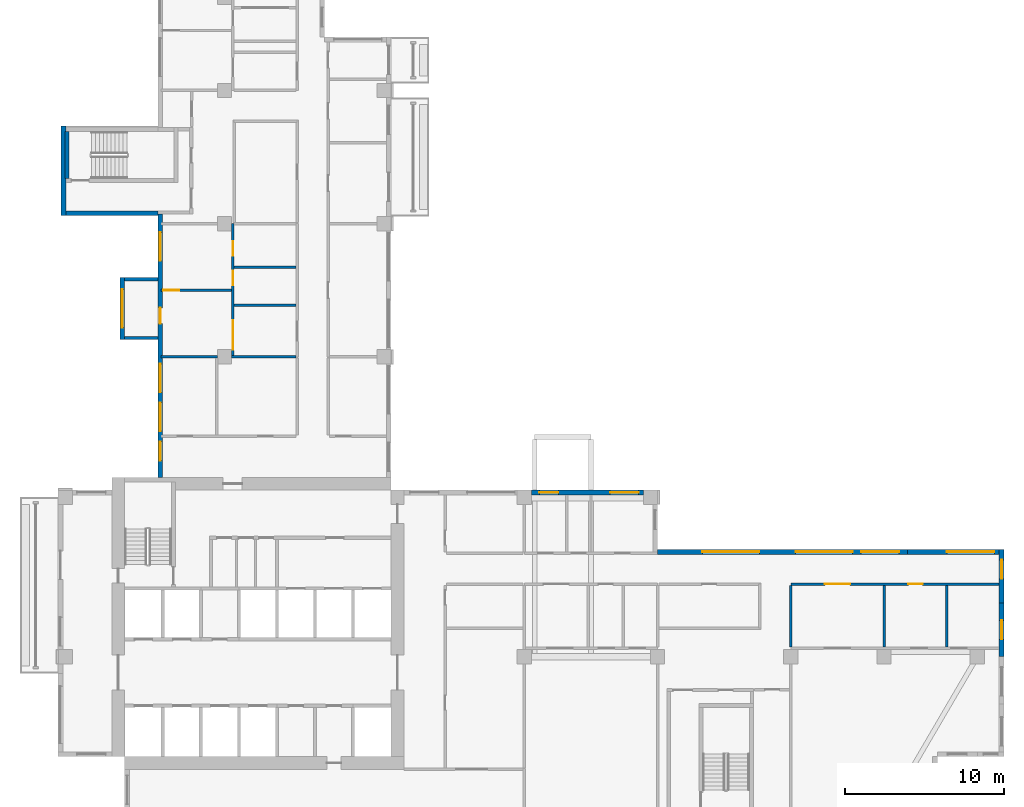
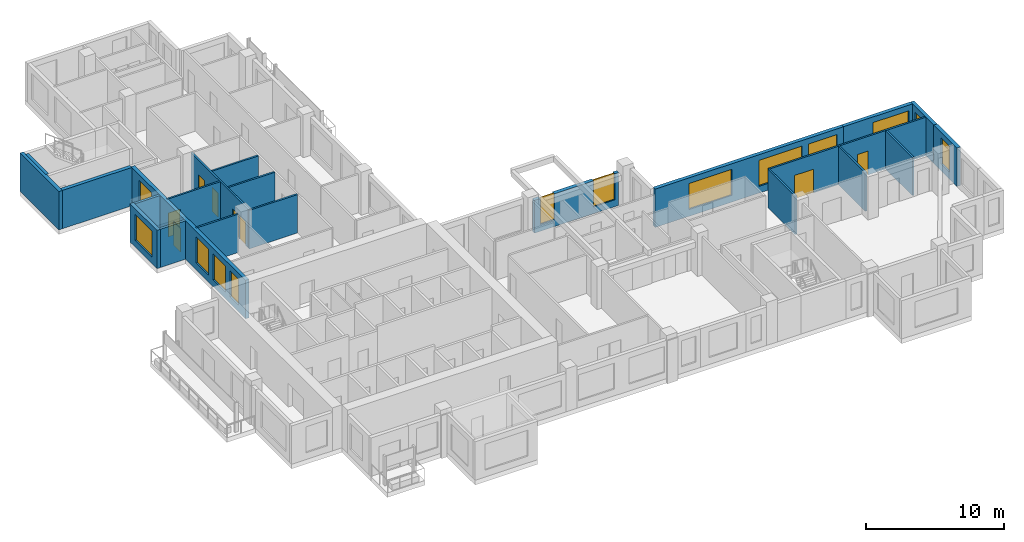
# One storey, part 6 of 12: 22 walls, 13 windows, 8 doors, 21 openings.
"""IFC4 building model written with IfcOpenShell, lengths in metres."""

import ifcopenshell
import ifcopenshell.guid

model = None  # the IFC model being written
_history = None  # IfcOwnerHistory: only IFC2X3 demands one
_inside = {}  # id of a spatial element -> (the spatial element, [elements in it])
_under = {}  # id of a project, library or spatial element -> (it, [spatial elements below it])
_declared = {}  # id of a project -> (the project, [libraries it declares])
_typed = {}  # id of a type object -> (the type object, [elements of that type])
_made_of = {}  # id of a material, layer set ... -> (it, [elements and type objects made of it])


def new_model(schema):
    """Start an empty IFC model of exactly this schema.

    Asked for "IFC4X3", IfcOpenShell would pick the latest addendum, in which some entities
    have other attributes; the version numbers below select the first issue.
    IFC2X3 requires an IfcOwnerHistory on every rooted entity: one is made here for all.
    """
    global model, _history
    if schema == "IFC4X3":
        model = ifcopenshell.file(schema_version=(4, 3, 0, 0))
    else:
        model = ifcopenshell.file(schema=schema)
    _inside.clear()
    _under.clear()
    _declared.clear()
    _typed.clear()
    _made_of.clear()
    _history = None
    if model.schema == "IFC2X3":
        org = make("IfcOrganization", Name="unknown")
        user = make(
            "IfcPersonAndOrganization",
            ThePerson=make("IfcPerson", FamilyName="unknown"),
            TheOrganization=org,
        )
        app = make(
            "IfcApplication",
            ApplicationDeveloper=org,
            Version="unknown",
            ApplicationFullName="unknown",
            ApplicationIdentifier="unknown",
        )
        _history = make(
            "IfcOwnerHistory",
            OwningUser=user,
            OwningApplication=app,
            ChangeAction="ADDED",
            CreationDate=0,
        )
    return model


def make(cls, **values):
    """One entity of the class cls with the attributes given. An attribute that is None is left unset."""
    return model.create_entity(
        cls, **{name: value for name, value in values.items() if value is not None}
    )


def rooted(cls, **values):
    """An entity with a GlobalId (a new one), such as an element, a storey or a relation."""
    return make(cls, GlobalId=ifcopenshell.guid.new(), OwnerHistory=_history, **values)


def si_unit(unit_type, name, prefix=None):
    """IfcSIUnit, for example si_unit("LENGTHUNIT", "METRE", prefix="MILLI")."""
    return make("IfcSIUnit", UnitType=unit_type, Prefix=prefix, Name=name)


def assignment(units):
    """IfcUnitAssignment: the units of a project."""
    return None if units is None else make("IfcUnitAssignment", Units=units)


def point(xyz):
    """IfcCartesianPoint."""
    return None if xyz is None else make("IfcCartesianPoint", Coordinates=xyz)


def direction(xyz):
    """IfcDirection."""
    return None if xyz is None else make("IfcDirection", DirectionRatios=xyz)


def frame(location, z_axis=None, x_axis=None):
    """IfcAxis2Placement3D, a coordinate frame: its origin and axes. An axis left out is left unset."""
    return make(
        "IfcAxis2Placement3D",
        Location=point(location),
        Axis=direction(z_axis),
        RefDirection=direction(x_axis),
    )


def frame_2d(location, x_axis=None):
    """IfcAxis2Placement2D, a coordinate frame in the plane: its origin and x axis."""
    return make(
        "IfcAxis2Placement2D", Location=point(location), RefDirection=direction(x_axis)
    )


def origin():
    """The frame at (0, 0, 0) with its axes left unset."""
    return frame((0.0, 0.0, 0.0))


def place(relative_to, where):
    """IfcLocalPlacement: puts the frame where relative to a parent placement (None: the world)."""
    return make(
        "IfcLocalPlacement", PlacementRelTo=relative_to, RelativePlacement=where
    )


def context(
    kind, dimensions, precision=None, world=None, true_north=None, identifier=None
):
    """IfcGeometricRepresentationContext, for example the 3D "Model" context."""
    return make(
        "IfcGeometricRepresentationContext",
        ContextIdentifier=identifier,
        ContextType=kind,
        CoordinateSpaceDimension=dimensions,
        Precision=precision,
        WorldCoordinateSystem=world,
        TrueNorth=true_north,
    )


def subcontext(parent, identifier, kind, view, scale=None):
    """IfcGeometricRepresentationSubContext, for example "Body" below "Model"."""
    return make(
        "IfcGeometricRepresentationSubContext",
        ContextIdentifier=identifier,
        ContextType=kind,
        ParentContext=parent,
        TargetScale=scale,
        TargetView=view,
    )


def project(units=None, contexts=None):
    """IfcProject with its units and contexts."""
    return rooted(
        "IfcProject",
        Name="project",
        RepresentationContexts=contexts,
        UnitsInContext=assignment(units),
    )


def spatial(cls, under=None, at=None, **own):
    """A site, building, storey or space (cls), placed at a placement, below another one or the project."""
    s = rooted(cls, ObjectPlacement=at, **own)
    if under is not None:
        _under.setdefault(under.id(), (under, []))[1].append(s)
    return s


def profile(cls, at=None, kind="AREA", **sizes):
    """A parametric profile (cls). Its sizes go by their IFC names, for example OverallWidth=200.0."""
    return make(cls, ProfileType=kind, Position=at, **sizes)


def rectangle(**sizes):
    """IfcRectangleProfileDef."""
    return profile("IfcRectangleProfileDef", **sizes)


def extrude(swept, where, along, depth):
    """IfcExtrudedAreaSolid: the profile swept, set in the frame where, extruded along a direction by depth."""
    return make(
        "IfcExtrudedAreaSolid",
        SweptArea=swept,
        Position=where,
        ExtrudedDirection=direction(along),
        Depth=depth,
    )


def shape(context_of_items, identifier, shape_type, items):
    """IfcShapeRepresentation: the items that make up one representation, for example the "Body"."""
    return make(
        "IfcShapeRepresentation",
        ContextOfItems=context_of_items,
        RepresentationIdentifier=identifier,
        RepresentationType=shape_type,
        Items=items,
    )


def source(mapping_origin, context_of_items, identifier, shape_type, items):
    """IfcRepresentationMap: a shape defined once, which mapped items show again and again."""
    return make(
        "IfcRepresentationMap",
        MappingOrigin=mapping_origin,
        MappedRepresentation=shape(context_of_items, identifier, shape_type, items),
    )


def transform(
    local_origin,
    x_axis=None,
    y_axis=None,
    z_axis=None,
    scale=None,
    scale2=None,
    scale3=None,
    uniform=True,
):
    """IfcCartesianTransformationOperator3D, or its non-uniform kind. x_axis, y_axis, z_axis: its Axis1, 2, 3."""
    if uniform:
        return make(
            "IfcCartesianTransformationOperator3D",
            Axis1=direction(x_axis),
            Axis2=direction(y_axis),
            LocalOrigin=point(local_origin),
            Scale=scale,
            Axis3=direction(z_axis),
        )
    return make(
        "IfcCartesianTransformationOperator3DnonUniform",
        Axis1=direction(x_axis),
        Axis2=direction(y_axis),
        LocalOrigin=point(local_origin),
        Scale=scale,
        Axis3=direction(z_axis),
        Scale2=scale2,
        Scale3=scale3,
    )


def mapped(mapping_source, mapping_target):
    """IfcMappedItem: shows the shape of a source again, moved by a transform."""
    return make(
        "IfcMappedItem", MappingSource=mapping_source, MappingTarget=mapping_target
    )


def material(Name=None, Category=None):
    """IfcMaterial."""
    return make("IfcMaterial", Name=Name, Category=Category)


def layer(
    of_material, thickness, ventilated=None, Name=None, Category=None, Priority=None
):
    """IfcMaterialLayer: one layer of a wall or slab, of a material (None: an air gap)."""
    return make(
        "IfcMaterialLayer",
        Material=of_material,
        LayerThickness=thickness,
        IsVentilated=ventilated,
        Name=Name,
        Category=Category,
        Priority=Priority,
    )


def layer_set(layers, Name=None):
    """IfcMaterialLayerSet."""
    return make("IfcMaterialLayerSet", MaterialLayers=layers, LayerSetName=Name)


def made_of(thing, what):
    """Note that an element or type object is made of a material, layer set ...; save() writes the relation."""
    if what is not None:
        _made_of.setdefault(what.id(), (what, []))[1].append(thing)
    return thing


def type_object(cls, material=None, **own):
    """A type object (cls), such as IfcWallType, which elements share."""
    return made_of(rooted(cls, **own), material)


def element(
    cls,
    number,
    at=None,
    inside=None,
    cuts=None,
    type_object=None,
    material=None,
    context=None,
    identifier="Body",
    shape_type=None,
    held_by="IfcProductDefinitionShape",
    body=None,
    shapes=None,
    **own,
):
    """One element of the class cls, such as IfcWall. Its Tag is "e" and its number.

    at: its placement. inside: the storey or other place that contains it. cuts: it is an
    opening in that element (IfcRelVoidsElement). A single representation is given by context,
    identifier, shape_type and body (its items); several are given by shapes. held_by: the class
    of the entity that holds the representations. save() writes the other relations.
    """
    e = rooted(cls, Tag="e%d" % number, ObjectPlacement=at, **own)
    if body is not None:
        shapes = [shape(context, identifier, shape_type, body)]
    if shapes is not None:
        e.Representation = make(held_by, Representations=shapes)
    if inside is not None:
        _inside.setdefault(inside.id(), (inside, []))[1].append(e)
    if cuts is not None:
        rooted(
            "IfcRelVoidsElement", RelatingBuildingElement=cuts, RelatedOpeningElement=e
        )
    if type_object is not None:
        _typed.setdefault(type_object.id(), (type_object, []))[1].append(e)
    return made_of(e, material)


def fill(opening, filler):
    """IfcRelFillsElement: the door or window that sits in an opening."""
    return rooted(
        "IfcRelFillsElement",
        RelatingOpeningElement=opening,
        RelatedBuildingElement=filler,
    )


def aggregate(whole, parts):
    """IfcRelAggregates: a whole, such as a stair, and the parts it consists of."""
    return rooted("IfcRelAggregates", RelatingObject=whole, RelatedObjects=parts)


def save(model, path):
    """Write the relations noted so far, then the file.

    IfcRelAggregates (storeys below a building ...), IfcRelContainedInSpatialStructure (elements
    in a storey), IfcRelDefinesByType, IfcRelAssociatesMaterial and IfcRelDeclares: one each for
    every whole, place, type object, material and project.
    """
    for whole, parts in _under.values():
        aggregate(whole, parts)
    for where, things in _inside.values():
        rooted(
            "IfcRelContainedInSpatialStructure",
            RelatedElements=things,
            RelatingStructure=where,
        )
    for kind, things in _typed.values():
        rooted("IfcRelDefinesByType", RelatedObjects=things, RelatingType=kind)
    for what, things in _made_of.values():
        rooted("IfcRelAssociatesMaterial", RelatedObjects=things, RelatingMaterial=what)
    for by, libraries in _declared.values():
        rooted("IfcRelDeclares", RelatingContext=by, RelatedDefinitions=libraries)
    model.write(path)


model = new_model("IFC4")

# Units and contexts
model_context = context("Model", 3, precision=1e-05, world=origin(), true_north=direction((0.0, 1.0)))
body_context = subcontext(model_context, "Body", "Model", "MODEL_VIEW")
ifc_project = project(units=[si_unit("LENGTHUNIT", "METRE"), si_unit("AREAUNIT", "SQUARE_METRE"), si_unit("VOLUMEUNIT", "CUBIC_METRE"), si_unit("PLANEANGLEUNIT", "RADIAN"), si_unit("MASSUNIT", "GRAM", prefix="KILO")], contexts=[model_context])

# Site, building, storey
site_placement = place(None, origin())
site = spatial("IfcSite", under=ifc_project, at=site_placement, CompositionType="ELEMENT")
building_placement = place(site_placement, origin())
building = spatial("IfcBuilding", under=site, at=building_placement, Name="Aurelian Terraces", CompositionType="ELEMENT")
storey_placement = place(building_placement, frame((0.0, 0.0, 200.6)))
storey = spatial("IfcBuildingStorey", under=building, at=storey_placement, Name="L44", CompositionType="ELEMENT", Elevation=200.6)

# Wall
ifc_material_1 = material(Name="Concrete fc' 40 MPa", Category="concrete")
ifc_layer_1 = layer(ifc_material_1, 0.2)
ifc_layer_set_1 = layer_set([ifc_layer_1], Name="BOX BEARING WALL 200")
wall_type_1 = type_object("IfcWallType", Name="BOX BEARING WALL 200", PredefinedType="SOLIDWALL", material=ifc_layer_set_1)
wall_1_placement = place(storey_placement, frame((6.3, 34.3, 0.0), z_axis=(0.0, 0.0, 1.0), x_axis=(-1.0, 0.0, 0.0)))
element("IfcWall", 1, at=wall_1_placement, inside=storey, type_object=wall_type_1, Name="Box return L44 J61.1", PredefinedType="SOLIDWALL", context=body_context, shape_type="SweptSolid", body=[
    extrude(rectangle(XDim=2.1, YDim=0.2, at=frame_2d((1.05, 0.0))), origin(), (0.0, 0.0, 1.0), 3.4),
])

# Wall, opening, window
ifc_layer_2 = layer(ifc_material_1, 0.3)
ifc_layer_set_2 = layer_set([ifc_layer_2], Name="BOX BEARING WALL 300")
wall_type_2 = type_object("IfcWallType", Name="BOX BEARING WALL 300", PredefinedType="SOLIDWALL", material=ifc_layer_set_2)
wall_2_placement = place(storey_placement, frame((4.05, 34.4, 0.0), z_axis=(0.0, 0.0, 1.0), x_axis=(0.0, -1.0, 0.0)))
wall_2 = element("IfcWall", 2, at=wall_2_placement, inside=storey, type_object=wall_type_2, Name="Box wall L44 J61", PredefinedType="SOLIDWALL", context=body_context, shape_type="SweptSolid", body=[
    extrude(rectangle(XDim=3.9, YDim=0.3, at=frame_2d((1.95, 0.0))), origin(), (0.0, 0.0, 1.0), 3.4),
])
shared_shape_1 = source(origin(), body_context, "Body", "SweptSolid", [
    extrude(rectangle(XDim=2.4, YDim=2.3, at=frame_2d((1.2, 1.15))), frame((0.0, 0.16, 0.0), z_axis=(0.0, -1.0, 0.0), x_axis=(1.0, 0.0, 0.0)), (0.0, 0.0, 1.0), 0.32),
])
opening_1_placement = place(wall_2_placement, frame((0.75, 0.0, 0.6)))
opening_1 = element("IfcOpeningElement", 3, at=opening_1_placement, cuts=wall_2, Name="Opening W2423", PredefinedType="OPENING", context=body_context, shape_type="MappedRepresentation", body=[
    mapped(shared_shape_1, transform((0.0, 0.0, 0.0), scale=1.0)),
])
ifc_material_2 = material(Name="Clear glazing", Category="glass")
window_type_1 = type_object("IfcWindowType", Name="W-2400x2300", PartitioningType="SINGLE_PANEL", PredefinedType="WINDOW", material=ifc_material_2)
shared_shape_2 = source(origin(), body_context, "Body", "SweptSolid", [
    extrude(rectangle(XDim=2.4, YDim=2.3, at=frame_2d((1.2, 1.15))), frame((0.0, 0.03, 0.0), z_axis=(0.0, -1.0, 0.0), x_axis=(1.0, 0.0, 0.0)), (0.0, 0.0, 1.0), 0.06),
])
window_1_placement = place(opening_1_placement, origin())
window_1 = element("IfcWindow", 4, at=window_1_placement, inside=storey, type_object=window_type_1, Name="Window L44 J61-F1", OverallHeight=2.3, OverallWidth=2.4, PartitioningType="SINGLE_PANEL", PredefinedType="WINDOW", context=body_context, shape_type="MappedRepresentation", body=[
    mapped(shared_shape_2, transform((0.0, 0.0, 0.0), scale=1.0)),
])
fill(opening_1, window_1)

# Wall, openings, windows
ifc_material_3 = material(Name="Terracotta rainscreen cladding", Category="masonry")
ifc_layer_3 = layer(ifc_material_3, 0.3)
ifc_layer_set_3 = layer_set([ifc_layer_3], Name="EW-300")
wall_type_3 = type_object("IfcWallType", Name="EW-300", PredefinedType="STANDARD", material=ifc_layer_set_3)
wall_3_placement = place(storey_placement, frame((53.56, 17.1, 0.0), z_axis=(0.0, 0.0, 1.0), x_axis=(-1.0, 0.0, 0.0)))
wall_3 = element("IfcWall", 5, at=wall_3_placement, inside=storey, type_object=wall_type_3, Name="External wall L44 F05.15", PredefinedType="STANDARD", context=body_context, shape_type="SweptSolid", body=[
    extrude(rectangle(XDim=15.76, YDim=0.3, at=frame_2d((7.88, 0.0))), origin(), (0.0, 0.0, 1.0), 3.4),
])
shared_shape_3 = source(origin(), body_context, "Body", "SweptSolid", [
    extrude(rectangle(XDim=3.6, YDim=2.3, at=frame_2d((1.8, 1.15))), frame((0.0, 0.16, 0.0), z_axis=(0.0, -1.0, 0.0), x_axis=(1.0, 0.0, 0.0)), (0.0, 0.0, 1.0), 0.32),
])
opening_2_placement = place(wall_3_placement, frame((3.46, 0.0, 0.6)))
opening_2 = element("IfcOpeningElement", 6, at=opening_2_placement, cuts=wall_3, Name="Opening W3623", PredefinedType="OPENING", context=body_context, shape_type="MappedRepresentation", body=[
    mapped(shared_shape_3, transform((0.0, 0.0, 0.0), scale=1.0)),
])
opening_3_placement = place(wall_3_placement, frame((9.34, 0.0, 0.6)))
opening_3 = element("IfcOpeningElement", 7, at=opening_3_placement, cuts=wall_3, Name="Opening W3623", PredefinedType="OPENING", context=body_context, shape_type="MappedRepresentation", body=[
    mapped(shared_shape_3, transform((0.0, 0.0, 0.0), scale=1.0)),
])
opening_4_placement = place(wall_3_placement, frame((0.53, 0.0, 0.6)))
opening_4 = element("IfcOpeningElement", 8, at=opening_4_placement, cuts=wall_3, Name="Opening W2423", PredefinedType="OPENING", context=body_context, shape_type="MappedRepresentation", body=[
    mapped(shared_shape_1, transform((0.0, 0.0, 0.0), scale=1.0)),
])
window_type_2 = type_object("IfcWindowType", Name="W-3600x2300", PartitioningType="SINGLE_PANEL", PredefinedType="WINDOW", material=ifc_material_2)
shared_shape_4 = source(origin(), body_context, "Body", "SweptSolid", [
    extrude(rectangle(XDim=3.6, YDim=2.3, at=frame_2d((1.8, 1.15))), frame((0.0, 0.03, 0.0), z_axis=(0.0, -1.0, 0.0), x_axis=(1.0, 0.0, 0.0)), (0.0, 0.0, 1.0), 0.06),
])
window_2_placement = place(opening_2_placement, origin())
window_2 = element("IfcWindow", 9, at=window_2_placement, inside=storey, type_object=window_type_2, Name="Window L44 L44-F05-15-2", OverallHeight=2.3, OverallWidth=3.6, PartitioningType="SINGLE_PANEL", PredefinedType="WINDOW", context=body_context, shape_type="MappedRepresentation", body=[
    mapped(shared_shape_4, transform((0.0, 0.0, 0.0), scale=1.0)),
])
fill(opening_2, window_2)
window_3_placement = place(opening_3_placement, origin())
window_3 = element("IfcWindow", 10, at=window_3_placement, inside=storey, type_object=window_type_2, Name="Window L44 L44-F05-15-3", OverallHeight=2.3, OverallWidth=3.6, PartitioningType="SINGLE_PANEL", PredefinedType="WINDOW", context=body_context, shape_type="MappedRepresentation", body=[
    mapped(shared_shape_4, transform((0.0, 0.0, 0.0), scale=1.0)),
])
fill(opening_3, window_3)
window_4_placement = place(opening_4_placement, origin())
window_4 = element("IfcWindow", 11, at=window_4_placement, inside=storey, type_object=window_type_1, Name="Window L44 L44-F05-15-G1-61", OverallHeight=2.3, OverallWidth=2.4, PartitioningType="SINGLE_PANEL", PredefinedType="WINDOW", context=body_context, shape_type="MappedRepresentation", body=[
    mapped(shared_shape_2, transform((0.0, 0.0, 0.0), scale=1.0)),
])
fill(opening_4, window_4)

# Wall, opening, window
ifc_layer_4 = layer(ifc_material_1, 0.3)
ifc_layer_set_4 = layer_set([ifc_layer_4], Name="STAIR BAY WALL 300")
wall_type_4 = type_object("IfcWallType", Name="STAIR BAY WALL 300", PredefinedType="SOLIDWALL", material=ifc_layer_set_4)
wall_4_placement = place(storey_placement, frame((59.49, 10.5, 0.0), z_axis=(0.0, 0.0, 1.0), x_axis=(0.0, 1.0, 0.0)))
wall_4 = element("IfcWall", 12, at=wall_4_placement, inside=storey, type_object=wall_type_4, Name="Bearing wall L44 F04.13", PredefinedType="SOLIDWALL", context=body_context, shape_type="SweptSolid", body=[
    extrude(rectangle(XDim=3.375, YDim=0.3, at=frame_2d((1.6875, 0.0))), origin(), (0.0, 0.0, 1.0), 3.4),
])
shared_shape_5 = source(origin(), body_context, "Body", "SweptSolid", [
    extrude(rectangle(XDim=1.2, YDim=2.3, at=frame_2d((0.6, 1.15))), frame((0.0, 0.16, 0.0), z_axis=(0.0, -1.0, 0.0), x_axis=(1.0, 0.0, 0.0)), (0.0, 0.0, 1.0), 0.32),
])
opening_5_placement = place(wall_4_placement, frame((1.0875, 0.0, 0.6)))
opening_5 = element("IfcOpeningElement", 13, at=opening_5_placement, cuts=wall_4, Name="Opening W1223", PredefinedType="OPENING", context=body_context, shape_type="MappedRepresentation", body=[
    mapped(shared_shape_5, transform((0.0, 0.0, 0.0), scale=1.0)),
])
window_type_3 = type_object("IfcWindowType", Name="W-1200x2300", PartitioningType="SINGLE_PANEL", PredefinedType="WINDOW", material=ifc_material_2)
shared_shape_6 = source(origin(), body_context, "Body", "SweptSolid", [
    extrude(rectangle(XDim=1.2, YDim=2.3, at=frame_2d((0.6, 1.15))), frame((0.0, 0.03, 0.0), z_axis=(0.0, -1.0, 0.0), x_axis=(1.0, 0.0, 0.0)), (0.0, 0.0, 1.0), 0.06),
])
window_5_placement = place(opening_5_placement, origin())
window_5 = element("IfcWindow", 14, at=window_5_placement, inside=storey, type_object=window_type_3, Name="Window L44 L44-F04-13-0", OverallHeight=2.3, OverallWidth=1.2, PartitioningType="SINGLE_PANEL", PredefinedType="WINDOW", context=body_context, shape_type="MappedRepresentation", body=[
    mapped(shared_shape_6, transform((0.0, 0.0, 0.0), scale=1.0)),
])
fill(opening_5, window_5)

wall_5_placement = place(storey_placement, frame((59.64, 17.1, 0.0), z_axis=(0.0, 0.0, 1.0), x_axis=(-1.0, 0.0, 0.0)))
wall_5 = element("IfcWall", 15, at=wall_5_placement, inside=storey, type_object=wall_type_4, Name="Bearing wall L44 F05.15", PredefinedType="SOLIDWALL", context=body_context, shape_type="SweptSolid", body=[
    extrude(rectangle(XDim=6.08, YDim=0.3, at=frame_2d((3.04, 0.0))), origin(), (0.0, 0.0, 1.0), 3.4),
])
shared_shape_7 = source(origin(), body_context, "Body", "SweptSolid", [
    extrude(rectangle(XDim=3.0, YDim=2.3, at=frame_2d((1.5, 1.15))), frame((0.0, 0.16, 0.0), z_axis=(0.0, -1.0, 0.0), x_axis=(1.0, 0.0, 0.0)), (0.0, 0.0, 1.0), 0.32),
])
opening_6_placement = place(wall_5_placement, frame((0.6, 0.0, 0.6)))
opening_6 = element("IfcOpeningElement", 16, at=opening_6_placement, cuts=wall_5, Name="Opening W3023", PredefinedType="OPENING", context=body_context, shape_type="MappedRepresentation", body=[
    mapped(shared_shape_7, transform((0.0, 0.0, 0.0), scale=1.0)),
])
window_type_4 = type_object("IfcWindowType", Name="W-3000x2300", PartitioningType="SINGLE_PANEL", PredefinedType="WINDOW", material=ifc_material_2)
shared_shape_8 = source(origin(), body_context, "Body", "SweptSolid", [
    extrude(rectangle(XDim=3.0, YDim=2.3, at=frame_2d((1.5, 1.15))), frame((0.0, 0.03, 0.0), z_axis=(0.0, -1.0, 0.0), x_axis=(1.0, 0.0, 0.0)), (0.0, 0.0, 1.0), 0.06),
])
window_6_placement = place(opening_6_placement, origin())
window_6 = element("IfcWindow", 17, at=window_6_placement, inside=storey, type_object=window_type_4, Name="Window L44 L44-F05-15-0", OverallHeight=2.3, OverallWidth=3.0, PartitioningType="SINGLE_PANEL", PredefinedType="WINDOW", context=body_context, shape_type="MappedRepresentation", body=[
    mapped(shared_shape_8, transform((0.0, 0.0, 0.0), scale=1.0)),
])
fill(opening_6, window_6)

# Walls
shared_shape_9 = source(origin(), body_context, "Body", "SweptSolid", [
    extrude(rectangle(XDim=6.1, YDim=0.3, at=frame_2d((3.05, 0.0))), origin(), (0.0, 0.0, 1.0), 3.4),
])
wall_6_placement = place(storey_placement, frame((0.2, 38.45, 0.0), z_axis=(0.0, 0.0, 1.0), x_axis=(1.0, 0.0, 0.0)))
element("IfcWall", 18, at=wall_6_placement, inside=storey, type_object=wall_type_4, Name="Stair bay wall L44 F15.30", PredefinedType="SOLIDWALL", context=body_context, shape_type="MappedRepresentation", body=[
    mapped(shared_shape_9, transform((0.0, 0.0, 0.0), scale=1.0)),
])
shared_shape_10 = source(origin(), body_context, "Body", "SweptSolid", [
    extrude(rectangle(XDim=5.65, YDim=0.3, at=frame_2d((2.825, 0.0))), origin(), (0.0, 0.0, 1.0), 3.4),
])
wall_7_placement = place(storey_placement, frame((0.35, 43.95, 0.0), z_axis=(0.0, 0.0, 1.0), x_axis=(0.0, -1.0, 0.0)))
element("IfcWall", 19, at=wall_7_placement, inside=storey, type_object=wall_type_4, Name="Stair bay wall L44 F14.29", PredefinedType="SOLIDWALL", context=body_context, shape_type="MappedRepresentation", body=[
    mapped(shared_shape_10, transform((0.0, 0.0, 0.0), scale=1.0)),
])

# Wall, openings, windows, door
shared_shape_11 = source(origin(), body_context, "Body", "SweptSolid", [
    extrude(rectangle(XDim=16.6, YDim=0.3, at=frame_2d((8.3, 0.0))), origin(), (0.0, 0.0, 1.0), 3.4),
])
wall_8_placement = place(storey_placement, frame((6.45, 38.4, 0.0), z_axis=(0.0, 0.0, 1.0), x_axis=(0.0, -1.0, 0.0)))
wall_8 = element("IfcWall", 20, at=wall_8_placement, inside=storey, type_object=wall_type_3, Name="External wall L44 F16.31", PredefinedType="STANDARD", context=body_context, shape_type="MappedRepresentation", body=[
    mapped(shared_shape_11, transform((0.0, 0.0, 0.0), scale=1.0)),
])
shared_shape_12 = source(origin(), body_context, "Body", "SweptSolid", [
    extrude(rectangle(XDim=1.8, YDim=2.3, at=frame_2d((0.9, 1.15))), frame((0.0, 0.16, 0.0), z_axis=(0.0, -1.0, 0.0), x_axis=(1.0, 0.0, 0.0)), (0.0, 0.0, 1.0), 0.32),
])
opening_7_placement = place(wall_8_placement, frame((1.15, 0.0, 0.6)))
opening_7 = element("IfcOpeningElement", 21, at=opening_7_placement, cuts=wall_8, Name="Opening W1823", PredefinedType="OPENING", context=body_context, shape_type="MappedRepresentation", body=[
    mapped(shared_shape_12, transform((0.0, 0.0, 0.0), scale=1.0)),
])
opening_8_placement = place(wall_8_placement, frame((9.4375, 0.0, 0.6)))
opening_8 = element("IfcOpeningElement", 22, at=opening_8_placement, cuts=wall_8, Name="Opening W1823", PredefinedType="OPENING", context=body_context, shape_type="MappedRepresentation", body=[
    mapped(shared_shape_12, transform((0.0, 0.0, 0.0), scale=1.0)),
])
opening_9_placement = place(wall_8_placement, frame((14.3375, 0.0, 0.6)))
opening_9 = element("IfcOpeningElement", 23, at=opening_9_placement, cuts=wall_8, Name="Opening W1223", PredefinedType="OPENING", context=body_context, shape_type="MappedRepresentation", body=[
    mapped(shared_shape_5, transform((0.0, 0.0, 0.0), scale=1.0)),
])
opening_10_placement = place(wall_8_placement, frame((11.8875, 0.0, 0.6)))
opening_10 = element("IfcOpeningElement", 24, at=opening_10_placement, cuts=wall_8, Name="Opening W1823", PredefinedType="OPENING", context=body_context, shape_type="MappedRepresentation", body=[
    mapped(shared_shape_12, transform((0.0, 0.0, 0.0), scale=1.0)),
])
shared_shape_13 = source(origin(), body_context, "Body", "SweptSolid", [
    extrude(rectangle(XDim=1.0, YDim=2.1, at=frame_2d((0.5, 1.05))), frame((0.0, 0.16, 0.0), z_axis=(0.0, -1.0, 0.0), x_axis=(1.0, 0.0, 0.0)), (0.0, 0.0, 1.0), 0.32),
])
opening_11_placement = place(wall_8_placement, frame((5.9083, 0.0, 0.0)))
opening_11 = element("IfcOpeningElement", 25, at=opening_11_placement, cuts=wall_8, Name="Opening 844002", PredefinedType="OPENING", context=body_context, shape_type="MappedRepresentation", body=[
    mapped(shared_shape_13, transform((0.0, 0.0, 0.0), scale=1.0)),
])
window_7_placement = place(opening_9_placement, origin())
window_7 = element("IfcWindow", 26, at=window_7_placement, inside=storey, type_object=window_type_3, Name="Window L44 L44-F16-31-3", OverallHeight=2.3, OverallWidth=1.2, PartitioningType="SINGLE_PANEL", PredefinedType="WINDOW", context=body_context, shape_type="MappedRepresentation", body=[
    mapped(shared_shape_6, transform((0.0, 0.0, 0.0), scale=1.0)),
])
fill(opening_9, window_7)
window_type_5 = type_object("IfcWindowType", Name="W-1800x2300", PartitioningType="SINGLE_PANEL", PredefinedType="WINDOW", material=ifc_material_2)
shared_shape_14 = source(origin(), body_context, "Body", "SweptSolid", [
    extrude(rectangle(XDim=1.8, YDim=2.3, at=frame_2d((0.9, 1.15))), frame((0.0, 0.03, 0.0), z_axis=(0.0, -1.0, 0.0), x_axis=(1.0, 0.0, 0.0)), (0.0, 0.0, 1.0), 0.06),
])
window_8_placement = place(opening_7_placement, origin())
window_8 = element("IfcWindow", 27, at=window_8_placement, inside=storey, type_object=window_type_5, Name="Window L44 L44-F16-31-0", OverallHeight=2.3, OverallWidth=1.8, PartitioningType="SINGLE_PANEL", PredefinedType="WINDOW", context=body_context, shape_type="MappedRepresentation", body=[
    mapped(shared_shape_14, transform((0.0, 0.0, 0.0), scale=1.0)),
])
fill(opening_7, window_8)
window_9_placement = place(opening_8_placement, origin())
window_9 = element("IfcWindow", 28, at=window_9_placement, inside=storey, type_object=window_type_5, Name="Window L44 L44-F16-31-2", OverallHeight=2.3, OverallWidth=1.8, PartitioningType="SINGLE_PANEL", PredefinedType="WINDOW", context=body_context, shape_type="MappedRepresentation", body=[
    mapped(shared_shape_14, transform((0.0, 0.0, 0.0), scale=1.0)),
])
fill(opening_8, window_9)
window_10_placement = place(opening_10_placement, origin())
window_10 = element("IfcWindow", 29, at=window_10_placement, inside=storey, type_object=window_type_5, Name="Window L44 L44-F16-31-G0-111", OverallHeight=2.3, OverallWidth=1.8, PartitioningType="SINGLE_PANEL", PredefinedType="WINDOW", context=body_context, shape_type="MappedRepresentation", body=[
    mapped(shared_shape_14, transform((0.0, 0.0, 0.0), scale=1.0)),
])
fill(opening_10, window_10)
ifc_material_4 = material(Name="Timber door leaf", Category="wood")
door_type_1 = type_object("IfcDoorType", Name="Room door 1000x2100 left", OperationType="SINGLE_SWING_LEFT", PredefinedType="DOOR", material=ifc_material_4)
shared_shape_15 = source(origin(), body_context, "Body", "SweptSolid", [
    extrude(rectangle(XDim=1.0, YDim=2.1, at=frame_2d((0.5, 1.05))), frame((0.0, 0.025, 0.0), z_axis=(0.0, -1.0, 0.0), x_axis=(1.0, 0.0, 0.0)), (0.0, 0.0, 1.0), 0.05),
])
door_1_placement = place(opening_11_placement, origin())
door_1 = element("IfcDoor", 30, at=door_1_placement, inside=storey, type_object=door_type_1, Name="Door 844002", OperationType="SINGLE_SWING_LEFT", OverallHeight=2.1, OverallWidth=1.0, PredefinedType="DOOR", context=body_context, shape_type="MappedRepresentation", body=[
    mapped(shared_shape_15, transform((0.0, 0.0, 0.0), scale=1.0)),
])
fill(opening_11, door_1)

# Wall
shared_shape_16 = source(origin(), body_context, "Body", "SweptSolid", [
    extrude(rectangle(XDim=2.1, YDim=0.2, at=frame_2d((1.05, 0.0))), origin(), (0.0, 0.0, 1.0), 3.4),
])
wall_9_placement = place(storey_placement, frame((6.3, 30.6, 0.0), z_axis=(0.0, 0.0, 1.0), x_axis=(-1.0, 0.0, 0.0)))
element("IfcWall", 31, at=wall_9_placement, inside=storey, type_object=wall_type_1, Name="Box return L44 J61.2", PredefinedType="SOLIDWALL", context=body_context, shape_type="MappedRepresentation", body=[
    mapped(shared_shape_16, transform((0.0, 0.0, 0.0), scale=1.0)),
])

# Wall, opening, window
shared_shape_17 = source(origin(), body_context, "Body", "SweptSolid", [
    extrude(rectangle(XDim=3.375, YDim=0.3, at=frame_2d((1.6875, 0.0))), origin(), (0.0, 0.0, 1.0), 3.4),
])
wall_10_placement = place(storey_placement, frame((59.49, 13.875, 0.0), z_axis=(0.0, 0.0, 1.0), x_axis=(0.0, 1.0, 0.0)))
wall_10 = element("IfcWall", 32, at=wall_10_placement, inside=storey, type_object=wall_type_4, Name="Bearing wall L44 F04.14", PredefinedType="SOLIDWALL", context=body_context, shape_type="MappedRepresentation", body=[
    mapped(shared_shape_17, transform((0.0, 0.0, 0.0), scale=1.0)),
])
opening_12_placement = place(wall_10_placement, frame((1.5312, 0.0, 0.6)))
opening_12 = element("IfcOpeningElement", 33, at=opening_12_placement, cuts=wall_10, Name="Opening W1223", PredefinedType="OPENING", context=body_context, shape_type="MappedRepresentation", body=[
    mapped(shared_shape_5, transform((0.0, 0.0, 0.0), scale=1.0)),
])
window_11_placement = place(opening_12_placement, origin())
window_11 = element("IfcWindow", 34, at=window_11_placement, inside=storey, type_object=window_type_3, Name="Window L44 L44-F04-14-P0", OverallHeight=2.3, OverallWidth=1.2, PartitioningType="SINGLE_PANEL", PredefinedType="WINDOW", context=body_context, shape_type="MappedRepresentation", body=[
    mapped(shared_shape_6, transform((0.0, 0.0, 0.0), scale=1.0)),
])
fill(opening_12, window_11)

# Wall, openings, windows
shared_shape_18 = source(origin(), body_context, "Body", "SweptSolid", [
    extrude(rectangle(XDim=7.05, YDim=0.3, at=frame_2d((3.525, 0.0))), origin(), (0.0, 0.0, 1.0), 2.9),
])
wall_11_placement = place(storey_placement, frame((36.9, 20.85, 0.0), z_axis=(0.0, 0.0, 1.0), x_axis=(-1.0, 0.0, 0.0)))
wall_11 = element("IfcWall", 35, at=wall_11_placement, inside=storey, type_object=wall_type_3, Name="External wall L44 F07.17", PredefinedType="STANDARD", context=body_context, shape_type="MappedRepresentation", body=[
    mapped(shared_shape_18, transform((0.0, 0.0, 0.0), scale=1.0)),
])
opening_13_placement = place(wall_11_placement, frame((0.3, 0.0, 0.6)))
opening_13 = element("IfcOpeningElement", 36, at=opening_13_placement, cuts=wall_11, Name="Opening W1823", PredefinedType="OPENING", context=body_context, shape_type="MappedRepresentation", body=[
    mapped(shared_shape_12, transform((0.0, 0.0, 0.0), scale=1.0)),
])
opening_14_placement = place(wall_11_placement, frame((5.354, 0.0, 0.6)))
opening_14 = element("IfcOpeningElement", 37, at=opening_14_placement, cuts=wall_11, Name="Opening W1223", PredefinedType="OPENING", context=body_context, shape_type="MappedRepresentation", body=[
    mapped(shared_shape_5, transform((0.0, 0.0, 0.0), scale=1.0)),
])
window_12_placement = place(opening_14_placement, origin())
window_12 = element("IfcWindow", 38, at=window_12_placement, inside=storey, type_object=window_type_3, Name="Window L44 L44-F07-17-1", OverallHeight=2.3, OverallWidth=1.2, PartitioningType="SINGLE_PANEL", PredefinedType="WINDOW", context=body_context, shape_type="MappedRepresentation", body=[
    mapped(shared_shape_6, transform((0.0, 0.0, 0.0), scale=1.0)),
])
fill(opening_14, window_12)
window_13_placement = place(opening_13_placement, origin())
window_13 = element("IfcWindow", 39, at=window_13_placement, inside=storey, type_object=window_type_5, Name="Window L44 L44-F07-17-0", OverallHeight=2.3, OverallWidth=1.8, PartitioningType="SINGLE_PANEL", PredefinedType="WINDOW", context=body_context, shape_type="MappedRepresentation", body=[
    mapped(shared_shape_14, transform((0.0, 0.0, 0.0), scale=1.0)),
])
fill(opening_13, window_13)

# Walls
ifc_layer_5 = layer(ifc_material_1, 0.25)
ifc_layer_set_5 = layer_set([ifc_layer_5], Name="Stair enclosure wall 250")
wall_type_5 = type_object("IfcWallType", Name="Stair enclosure wall 250", PredefinedType="SOLIDWALL", material=ifc_layer_set_5)
shared_shape_19 = source(origin(), body_context, "Body", "SweptSolid", [
    extrude(rectangle(XDim=2.95, YDim=0.25, at=frame_2d((1.475, 0.0))), origin(), (0.0, 0.0, 1.0), 3.4),
])
wall_12_placement = place(storey_placement, frame((0.575, 40.65, 0.0), z_axis=(0.0, 0.0, 1.0), x_axis=(0.0, 1.0, 0.0)))
element("IfcWall", 40, at=wall_12_placement, inside=storey, type_object=wall_type_5, Name="L44 core wall ST-S3-SS", PredefinedType="SOLIDWALL", context=body_context, shape_type="MappedRepresentation", body=[
    mapped(shared_shape_19, transform((0.0, 0.0, 0.0), scale=1.0)),
])
ifc_material_5 = material(Name="Gypsum board on steel studs", Category="steel")
ifc_layer_6 = layer(ifc_material_5, 0.15)
ifc_layer_set_6 = layer_set([ifc_layer_6], Name="Partition 150")
wall_type_6 = type_object("IfcWallType", Name="Partition 150", PredefinedType="PARTITIONING", material=ifc_layer_set_6)
shared_shape_20 = source(origin(), body_context, "Body", "SweptSolid", [
    extrude(rectangle(XDim=3.9, YDim=0.15, at=frame_2d((1.95, 0.0))), origin(), (0.0, 0.0, 1.0), 3.4),
])
for number, where, z_axis, x_axis, name in (
    (41, (52.08, 11.1, 0.0), (0.0, 0.0, 1.0), (0.0, 1.0, 0.0), "Partition"),
    (42, (56.0269, 11.1, 0.0), (0.0, 0.0, 1.0), (0.0, 1.0, 0.0), "Partition"),
):
    element("IfcWall", number, at=place(storey_placement, frame(where, z_axis=z_axis, x_axis=x_axis)), inside=storey, type_object=wall_type_6, Name=name, PredefinedType="PARTITIONING", context=body_context, shape_type="MappedRepresentation", body=[
        mapped(shared_shape_20, transform((0.0, 0.0, 0.0), scale=1.0)),
    ])
ifc_layer_7 = layer(ifc_material_5, 0.15)
ifc_layer_set_7 = layer_set([ifc_layer_7], Name="Fire partition 150")
wall_type_7 = type_object("IfcWallType", Name="Fire partition 150", PredefinedType="PARTITIONING", material=ifc_layer_set_7)
wall_13_placement = place(storey_placement, frame((46.2, 11.1, 0.0), z_axis=(0.0, 0.0, 1.0), x_axis=(0.0, 1.0, 0.0)))
element("IfcWall", 43, at=wall_13_placement, inside=storey, type_object=wall_type_7, Name="Party wall", PredefinedType="PARTITIONING", context=body_context, shape_type="MappedRepresentation", body=[
    mapped(shared_shape_20, transform((0.0, 0.0, 0.0), scale=1.0)),
])
for number, where, z_axis, x_axis, name in (
    (44, (15.0, 32.6603, 0.0), (0.0, 0.0, 1.0), (-1.0, 0.0, 0.0), "Partition"),
    (45, (15.0, 35.0493, 0.0), (0.0, 0.0, 1.0), (-1.0, 0.0, 0.0), "Partition"),
):
    element("IfcWall", number, at=place(storey_placement, frame(where, z_axis=z_axis, x_axis=x_axis)), inside=storey, type_object=wall_type_6, Name=name, PredefinedType="PARTITIONING", context=body_context, shape_type="MappedRepresentation", body=[
        mapped(shared_shape_20, transform((0.0, 0.0, 0.0), scale=1.0)),
    ])

# Wall, openings, doors
shared_shape_21 = source(origin(), body_context, "Body", "SweptSolid", [
    extrude(rectangle(XDim=8.4, YDim=0.15, at=frame_2d((4.2, 0.0))), origin(), (0.0, 0.0, 1.0), 3.4),
])
wall_14_placement = place(storey_placement, frame((11.025, 29.4, 0.0), z_axis=(0.0, 0.0, 1.0), x_axis=(0.0, 1.0, 0.0)))
wall_14 = element("IfcWall", 46, at=wall_14_placement, inside=storey, type_object=wall_type_6, Name="Partition", PredefinedType="PARTITIONING", context=body_context, shape_type="MappedRepresentation", body=[
    mapped(shared_shape_21, transform((0.0, 0.0, 0.0), scale=1.0)),
])
shared_shape_22 = source(origin(), body_context, "Body", "SweptSolid", [
    extrude(rectangle(XDim=0.9, YDim=2.1, at=frame_2d((0.45, 1.05))), frame((0.0, 0.085, 0.0), z_axis=(0.0, -1.0, 0.0), x_axis=(1.0, 0.0, 0.0)), (0.0, 0.0, 1.0), 0.17),
])
opening_15_placement = place(wall_14_placement, frame((1.418, 0.0, 0.0)))
opening_15 = element("IfcOpeningElement", 47, at=opening_15_placement, cuts=wall_14, Name="Opening 744025", PredefinedType="OPENING", context=body_context, shape_type="MappedRepresentation", body=[
    mapped(shared_shape_22, transform((0.0, 0.0, 0.0), scale=1.0)),
])
opening_16_placement = place(wall_14_placement, frame((0.46, 0.0, 0.0)))
opening_16 = element("IfcOpeningElement", 48, at=opening_16_placement, cuts=wall_14, Name="Opening 744026", PredefinedType="OPENING", context=body_context, shape_type="MappedRepresentation", body=[
    mapped(shared_shape_22, transform((0.0, 0.0, 0.0), scale=1.0)),
])
opening_17_placement = place(wall_14_placement, frame((4.5247, 0.0, 0.0)))
opening_17 = element("IfcOpeningElement", 49, at=opening_17_placement, cuts=wall_14, Name="Opening 744028", PredefinedType="OPENING", context=body_context, shape_type="MappedRepresentation", body=[
    mapped(shared_shape_22, transform((0.0, 0.0, 0.0), scale=1.0)),
])
opening_18_placement = place(wall_14_placement, frame((6.3872, 0.0, 0.0)))
opening_18 = element("IfcOpeningElement", 50, at=opening_18_placement, cuts=wall_14, Name="Opening 744029", PredefinedType="OPENING", context=body_context, shape_type="MappedRepresentation", body=[
    mapped(shared_shape_22, transform((0.0, 0.0, 0.0), scale=1.0)),
])
door_type_2 = type_object("IfcDoorType", Name="Room door 900x2100 left", OperationType="SINGLE_SWING_LEFT", PredefinedType="DOOR", material=ifc_material_4)
shared_shape_23 = source(origin(), body_context, "Body", "SweptSolid", [
    extrude(rectangle(XDim=0.9, YDim=2.1, at=frame_2d((0.45, 1.05))), frame((0.0, 0.025, 0.0), z_axis=(0.0, -1.0, 0.0), x_axis=(1.0, 0.0, 0.0)), (0.0, 0.0, 1.0), 0.05),
])
door_2_placement = place(opening_15_placement, origin())
door_2 = element("IfcDoor", 51, at=door_2_placement, inside=storey, type_object=door_type_2, Name="Door 744025", OperationType="SINGLE_SWING_LEFT", OverallHeight=2.1, OverallWidth=0.9, PredefinedType="DOOR", context=body_context, shape_type="MappedRepresentation", body=[
    mapped(shared_shape_23, transform((0.0, 0.0, 0.0), scale=1.0)),
])
fill(opening_15, door_2)
door_type_3 = type_object("IfcDoorType", Name="Room door 900x2100 right", OperationType="SINGLE_SWING_RIGHT", PredefinedType="DOOR", material=ifc_material_4)
door_3_placement = place(opening_16_placement, origin())
door_3 = element("IfcDoor", 52, at=door_3_placement, inside=storey, type_object=door_type_3, Name="Door 744026", OperationType="SINGLE_SWING_RIGHT", OverallHeight=2.1, OverallWidth=0.9, PredefinedType="DOOR", context=body_context, shape_type="MappedRepresentation", body=[
    mapped(shared_shape_23, transform((0.0, 0.0, 0.0), scale=1.0)),
])
fill(opening_16, door_3)
door_4_placement = place(opening_17_placement, origin())
door_4 = element("IfcDoor", 53, at=door_4_placement, inside=storey, type_object=door_type_3, Name="Door 744028", OperationType="SINGLE_SWING_RIGHT", OverallHeight=2.1, OverallWidth=0.9, PredefinedType="DOOR", context=body_context, shape_type="MappedRepresentation", body=[
    mapped(shared_shape_23, transform((0.0, 0.0, 0.0), scale=1.0)),
])
fill(opening_17, door_4)
door_5_placement = place(opening_18_placement, origin())
door_5 = element("IfcDoor", 54, at=door_5_placement, inside=storey, type_object=door_type_2, Name="Door 744029", OperationType="SINGLE_SWING_LEFT", OverallHeight=2.1, OverallWidth=0.9, PredefinedType="DOOR", context=body_context, shape_type="MappedRepresentation", body=[
    mapped(shared_shape_23, transform((0.0, 0.0, 0.0), scale=1.0)),
])
fill(opening_18, door_5)

shared_shape_24 = source(origin(), body_context, "Body", "SweptSolid", [
    extrude(rectangle(XDim=13.14, YDim=0.15, at=frame_2d((6.57, 0.0))), origin(), (0.0, 0.0, 1.0), 3.4),
])
wall_15_placement = place(storey_placement, frame((59.34, 15.075, 0.0), z_axis=(0.0, 0.0, 1.0), x_axis=(-1.0, 0.0, 0.0)))
wall_15 = element("IfcWall", 55, at=wall_15_placement, inside=storey, type_object=wall_type_7, Name="Corridor wall", PredefinedType="PARTITIONING", context=body_context, shape_type="MappedRepresentation", body=[
    mapped(shared_shape_24, transform((0.0, 0.0, 0.0), scale=1.0)),
])
shared_shape_25 = source(origin(), body_context, "Body", "SweptSolid", [
    extrude(rectangle(XDim=1.6, YDim=2.1, at=frame_2d((0.8, 1.05))), frame((0.0, 0.085, 0.0), z_axis=(0.0, -1.0, 0.0), x_axis=(1.0, 0.0, 0.0)), (0.0, 0.0, 1.0), 0.17),
])
opening_19_placement = place(wall_15_placement, frame((9.4, 0.0, 0.0)))
opening_19 = element("IfcOpeningElement", 56, at=opening_19_placement, cuts=wall_15, Name="Opening 744012", PredefinedType="OPENING", context=body_context, shape_type="MappedRepresentation", body=[
    mapped(shared_shape_25, transform((0.0, 0.0, 0.0), scale=1.0)),
])
opening_20_placement = place(wall_15_placement, frame((4.8366, 0.0, 0.0)))
opening_20 = element("IfcOpeningElement", 57, at=opening_20_placement, cuts=wall_15, Name="Opening 744016", PredefinedType="OPENING", context=body_context, shape_type="MappedRepresentation", body=[
    mapped(shared_shape_22, transform((0.0, 0.0, 0.0), scale=1.0)),
])
ifc_material_6 = material(Name="Steel door leaf", Category="steel")
door_type_4 = type_object("IfcDoorType", Name="Entrance fire door 900x2100 right", OperationType="SINGLE_SWING_RIGHT", PredefinedType="DOOR", material=ifc_material_6)
door_6_placement = place(opening_20_placement, origin())
door_6 = element("IfcDoor", 58, at=door_6_placement, inside=storey, type_object=door_type_4, Name="Door 744016", OperationType="SINGLE_SWING_RIGHT", OverallHeight=2.1, OverallWidth=0.9, PredefinedType="DOOR", context=body_context, shape_type="MappedRepresentation", body=[
    mapped(shared_shape_23, transform((0.0, 0.0, 0.0), scale=1.0)),
])
fill(opening_20, door_6)
door_type_5 = type_object("IfcDoorType", Name="Entrance fire door 1600x2100 right", OperationType="SINGLE_SWING_RIGHT", PredefinedType="DOOR", material=ifc_material_6)
shared_shape_26 = source(origin(), body_context, "Body", "SweptSolid", [
    extrude(rectangle(XDim=1.6, YDim=2.1, at=frame_2d((0.8, 1.05))), frame((0.0, 0.025, 0.0), z_axis=(0.0, -1.0, 0.0), x_axis=(1.0, 0.0, 0.0)), (0.0, 0.0, 1.0), 0.05),
])
door_7_placement = place(opening_19_placement, origin())
door_7 = element("IfcDoor", 59, at=door_7_placement, inside=storey, type_object=door_type_5, Name="Door 744012", OperationType="SINGLE_SWING_RIGHT", OverallHeight=2.1, OverallWidth=1.6, PredefinedType="DOOR", context=body_context, shape_type="MappedRepresentation", body=[
    mapped(shared_shape_26, transform((0.0, 0.0, 0.0), scale=1.0)),
])
fill(opening_19, door_7)

# Walls
shared_shape_27 = source(origin(), body_context, "Body", "SweptSolid", [
    extrude(rectangle(XDim=4.051, YDim=0.15, at=frame_2d((2.0255, 0.0))), origin(), (0.0, 0.0, 1.0), 3.4),
])
wall_16_placement = place(storey_placement, frame((15.0, 29.4, 0.0), z_axis=(0.0, 0.0, 1.0), x_axis=(-1.0, 0.0, 0.0)))
element("IfcWall", 60, at=wall_16_placement, inside=storey, type_object=wall_type_6, Name="Partition", PredefinedType="PARTITIONING", context=body_context, shape_type="MappedRepresentation", body=[
    mapped(shared_shape_27, transform((0.0, 0.0, 0.0), scale=1.0)),
])
shared_shape_28 = source(origin(), body_context, "Body", "SweptSolid", [
    extrude(rectangle(XDim=3.546, YDim=0.15, at=frame_2d((1.773, 0.0))), origin(), (0.0, 0.0, 1.0), 3.4),
])
wall_17_placement = place(storey_placement, frame((10.051, 29.4, 0.0), z_axis=(0.0, 0.0, 1.0), x_axis=(-1.0, 0.0, 0.0)))
element("IfcWall", 61, at=wall_17_placement, inside=storey, type_object=wall_type_6, Name="Partition", PredefinedType="PARTITIONING", context=body_context, shape_type="MappedRepresentation", body=[
    mapped(shared_shape_28, transform((0.0, 0.0, 0.0), scale=1.0)),
])

# Wall, opening, door
shared_shape_29 = source(origin(), body_context, "Body", "SweptSolid", [
    extrude(rectangle(XDim=4.445, YDim=0.15, at=frame_2d((2.2225, 0.0))), origin(), (0.0, 0.0, 1.0), 3.4),
])
wall_18_placement = place(storey_placement, frame((10.95, 33.6, 0.0), z_axis=(0.0, 0.0, 1.0), x_axis=(-1.0, 0.0, 0.0)))
wall_18 = element("IfcWall", 62, at=wall_18_placement, inside=storey, type_object=wall_type_6, Name="Partition", PredefinedType="PARTITIONING", context=body_context, shape_type="MappedRepresentation", body=[
    mapped(shared_shape_29, transform((0.0, 0.0, 0.0), scale=1.0)),
])
shared_shape_30 = source(origin(), body_context, "Body", "SweptSolid", [
    extrude(rectangle(XDim=1.0, YDim=2.1, at=frame_2d((0.5, 1.05))), frame((0.0, 0.085, 0.0), z_axis=(0.0, -1.0, 0.0), x_axis=(1.0, 0.0, 0.0)), (0.0, 0.0, 1.0), 0.17),
])
opening_21_placement = place(wall_18_placement, frame((3.325, 0.0, 0.0)))
opening_21 = element("IfcOpeningElement", 63, at=opening_21_placement, cuts=wall_18, Name="Opening 744027", PredefinedType="OPENING", context=body_context, shape_type="MappedRepresentation", body=[
    mapped(shared_shape_30, transform((0.0, 0.0, 0.0), scale=1.0)),
])
door_8_placement = place(opening_21_placement, origin())
door_8 = element("IfcDoor", 64, at=door_8_placement, inside=storey, type_object=door_type_1, Name="Door 744027", OperationType="SINGLE_SWING_LEFT", OverallHeight=2.1, OverallWidth=1.0, PredefinedType="DOOR", context=body_context, shape_type="MappedRepresentation", body=[
    mapped(shared_shape_15, transform((0.0, 0.0, 0.0), scale=1.0)),
])
fill(opening_21, door_8)

save(model, "model.ifc")
